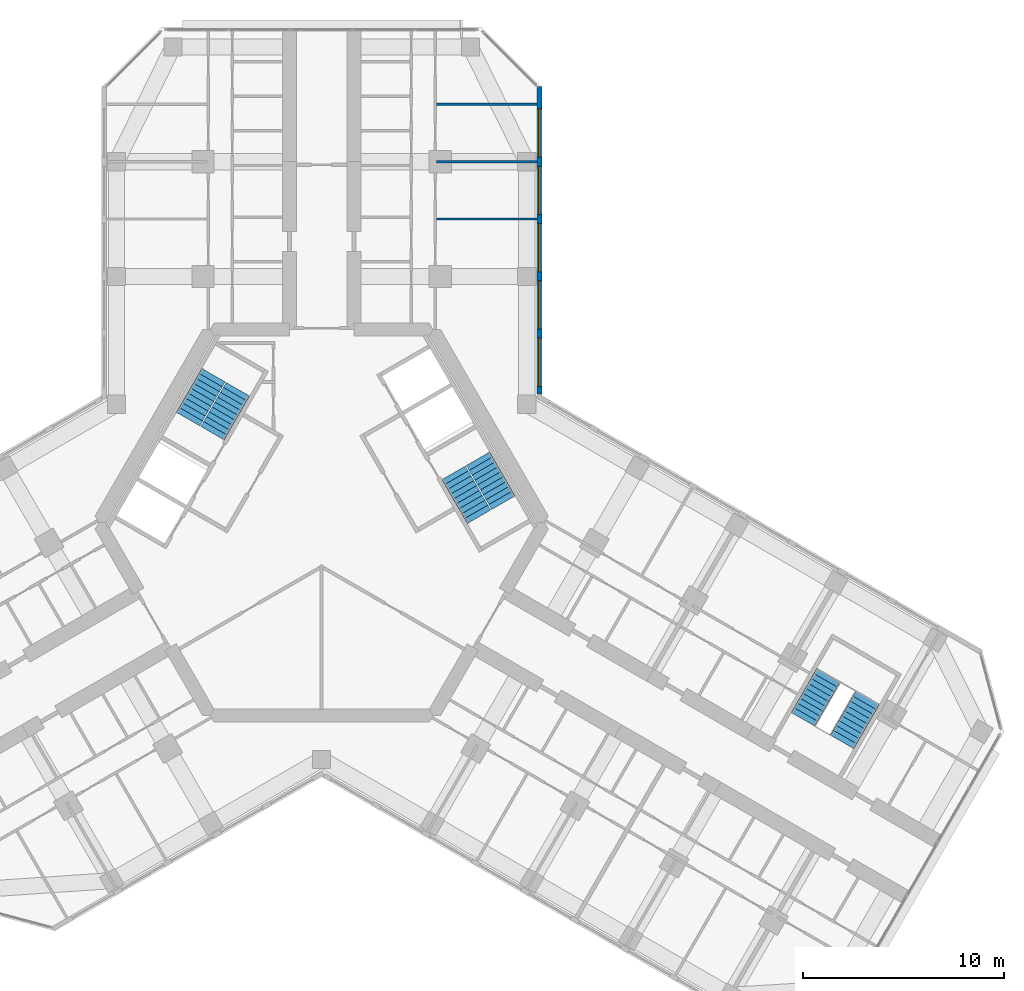
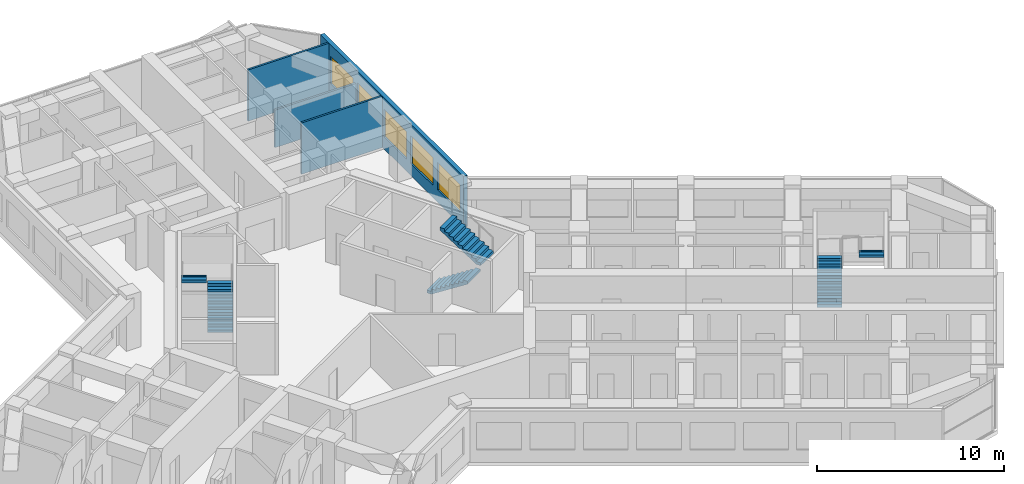
# One storey, part 15 of 16: 6 stair flights, 5 windows, 4 walls, 5 openings, 3 elements without a shape of their own.
"""IFC4 building model written with IfcOpenShell, lengths in metres."""

import ifcopenshell
import ifcopenshell.guid

model = None  # the IFC model being written
_history = None  # IfcOwnerHistory: only IFC2X3 demands one
_inside = {}  # id of a spatial element -> (the spatial element, [elements in it])
_under = {}  # id of a project, library or spatial element -> (it, [spatial elements below it])
_declared = {}  # id of a project -> (the project, [libraries it declares])
_typed = {}  # id of a type object -> (the type object, [elements of that type])
_made_of = {}  # id of a material, layer set ... -> (it, [elements and type objects made of it])


def new_model(schema):
    """Start an empty IFC model of exactly this schema.

    Asked for "IFC4X3", IfcOpenShell would pick the latest addendum, in which some entities
    have other attributes; the version numbers below select the first issue.
    IFC2X3 requires an IfcOwnerHistory on every rooted entity: one is made here for all.
    """
    global model, _history
    if schema == "IFC4X3":
        model = ifcopenshell.file(schema_version=(4, 3, 0, 0))
    else:
        model = ifcopenshell.file(schema=schema)
    _inside.clear()
    _under.clear()
    _declared.clear()
    _typed.clear()
    _made_of.clear()
    _history = None
    if model.schema == "IFC2X3":
        org = make("IfcOrganization", Name="unknown")
        user = make(
            "IfcPersonAndOrganization",
            ThePerson=make("IfcPerson", FamilyName="unknown"),
            TheOrganization=org,
        )
        app = make(
            "IfcApplication",
            ApplicationDeveloper=org,
            Version="unknown",
            ApplicationFullName="unknown",
            ApplicationIdentifier="unknown",
        )
        _history = make(
            "IfcOwnerHistory",
            OwningUser=user,
            OwningApplication=app,
            ChangeAction="ADDED",
            CreationDate=0,
        )
    return model


def make(cls, **values):
    """One entity of the class cls with the attributes given. An attribute that is None is left unset."""
    return model.create_entity(
        cls, **{name: value for name, value in values.items() if value is not None}
    )


def rooted(cls, **values):
    """An entity with a GlobalId (a new one), such as an element, a storey or a relation."""
    return make(cls, GlobalId=ifcopenshell.guid.new(), OwnerHistory=_history, **values)


def si_unit(unit_type, name, prefix=None):
    """IfcSIUnit, for example si_unit("LENGTHUNIT", "METRE", prefix="MILLI")."""
    return make("IfcSIUnit", UnitType=unit_type, Prefix=prefix, Name=name)


def assignment(units):
    """IfcUnitAssignment: the units of a project."""
    return None if units is None else make("IfcUnitAssignment", Units=units)


def point(xyz):
    """IfcCartesianPoint."""
    return None if xyz is None else make("IfcCartesianPoint", Coordinates=xyz)


def direction(xyz):
    """IfcDirection."""
    return None if xyz is None else make("IfcDirection", DirectionRatios=xyz)


def frame(location, z_axis=None, x_axis=None):
    """IfcAxis2Placement3D, a coordinate frame: its origin and axes. An axis left out is left unset."""
    return make(
        "IfcAxis2Placement3D",
        Location=point(location),
        Axis=direction(z_axis),
        RefDirection=direction(x_axis),
    )


def frame_2d(location, x_axis=None):
    """IfcAxis2Placement2D, a coordinate frame in the plane: its origin and x axis."""
    return make(
        "IfcAxis2Placement2D", Location=point(location), RefDirection=direction(x_axis)
    )


def origin():
    """The frame at (0, 0, 0) with its axes left unset."""
    return frame((0.0, 0.0, 0.0))


def place(relative_to, where):
    """IfcLocalPlacement: puts the frame where relative to a parent placement (None: the world)."""
    return make(
        "IfcLocalPlacement", PlacementRelTo=relative_to, RelativePlacement=where
    )


def context(
    kind, dimensions, precision=None, world=None, true_north=None, identifier=None
):
    """IfcGeometricRepresentationContext, for example the 3D "Model" context."""
    return make(
        "IfcGeometricRepresentationContext",
        ContextIdentifier=identifier,
        ContextType=kind,
        CoordinateSpaceDimension=dimensions,
        Precision=precision,
        WorldCoordinateSystem=world,
        TrueNorth=true_north,
    )


def subcontext(parent, identifier, kind, view, scale=None):
    """IfcGeometricRepresentationSubContext, for example "Body" below "Model"."""
    return make(
        "IfcGeometricRepresentationSubContext",
        ContextIdentifier=identifier,
        ContextType=kind,
        ParentContext=parent,
        TargetScale=scale,
        TargetView=view,
    )


def project(units=None, contexts=None):
    """IfcProject with its units and contexts."""
    return rooted(
        "IfcProject",
        Name="project",
        RepresentationContexts=contexts,
        UnitsInContext=assignment(units),
    )


def spatial(cls, under=None, at=None, **own):
    """A site, building, storey or space (cls), placed at a placement, below another one or the project."""
    s = rooted(cls, ObjectPlacement=at, **own)
    if under is not None:
        _under.setdefault(under.id(), (under, []))[1].append(s)
    return s


def polyline(points):
    """IfcPolyline through the points."""
    return make("IfcPolyline", Points=[point(p) for p in points])


def profile(cls, at=None, kind="AREA", **sizes):
    """A parametric profile (cls). Its sizes go by their IFC names, for example OverallWidth=200.0."""
    return make(cls, ProfileType=kind, Position=at, **sizes)


def rectangle(**sizes):
    """IfcRectangleProfileDef."""
    return profile("IfcRectangleProfileDef", **sizes)


def outline(outer, holes=None, kind="AREA"):
    """IfcArbitraryClosedProfileDef: a profile drawn as a closed curve; with holes, ...WithVoids."""
    if holes is None:
        return make("IfcArbitraryClosedProfileDef", ProfileType=kind, OuterCurve=outer)
    return make(
        "IfcArbitraryProfileDefWithVoids",
        ProfileType=kind,
        OuterCurve=outer,
        InnerCurves=holes,
    )


def extrude(swept, where, along, depth):
    """IfcExtrudedAreaSolid: the profile swept, set in the frame where, extruded along a direction by depth."""
    return make(
        "IfcExtrudedAreaSolid",
        SweptArea=swept,
        Position=where,
        ExtrudedDirection=direction(along),
        Depth=depth,
    )


def shape(context_of_items, identifier, shape_type, items):
    """IfcShapeRepresentation: the items that make up one representation, for example the "Body"."""
    return make(
        "IfcShapeRepresentation",
        ContextOfItems=context_of_items,
        RepresentationIdentifier=identifier,
        RepresentationType=shape_type,
        Items=items,
    )


def material(Name=None, Category=None):
    """IfcMaterial."""
    return make("IfcMaterial", Name=Name, Category=Category)


def layer(
    of_material, thickness, ventilated=None, Name=None, Category=None, Priority=None
):
    """IfcMaterialLayer: one layer of a wall or slab, of a material (None: an air gap)."""
    return make(
        "IfcMaterialLayer",
        Material=of_material,
        LayerThickness=thickness,
        IsVentilated=ventilated,
        Name=Name,
        Category=Category,
        Priority=Priority,
    )


def layer_set(layers, Name=None):
    """IfcMaterialLayerSet."""
    return make("IfcMaterialLayerSet", MaterialLayers=layers, LayerSetName=Name)


def made_of(thing, what):
    """Note that an element or type object is made of a material, layer set ...; save() writes the relation."""
    if what is not None:
        _made_of.setdefault(what.id(), (what, []))[1].append(thing)
    return thing


def type_object(cls, material=None, **own):
    """A type object (cls), such as IfcWallType, which elements share."""
    return made_of(rooted(cls, **own), material)


def element(
    cls,
    number,
    at=None,
    inside=None,
    cuts=None,
    type_object=None,
    material=None,
    context=None,
    identifier="Body",
    shape_type=None,
    held_by="IfcProductDefinitionShape",
    body=None,
    shapes=None,
    **own,
):
    """One element of the class cls, such as IfcWall. Its Tag is "e" and its number.

    at: its placement. inside: the storey or other place that contains it. cuts: it is an
    opening in that element (IfcRelVoidsElement). A single representation is given by context,
    identifier, shape_type and body (its items); several are given by shapes. held_by: the class
    of the entity that holds the representations. save() writes the other relations.
    """
    e = rooted(cls, Tag="e%d" % number, ObjectPlacement=at, **own)
    if body is not None:
        shapes = [shape(context, identifier, shape_type, body)]
    if shapes is not None:
        e.Representation = make(held_by, Representations=shapes)
    if inside is not None:
        _inside.setdefault(inside.id(), (inside, []))[1].append(e)
    if cuts is not None:
        rooted(
            "IfcRelVoidsElement", RelatingBuildingElement=cuts, RelatedOpeningElement=e
        )
    if type_object is not None:
        _typed.setdefault(type_object.id(), (type_object, []))[1].append(e)
    return made_of(e, material)


def fill(opening, filler):
    """IfcRelFillsElement: the door or window that sits in an opening."""
    return rooted(
        "IfcRelFillsElement",
        RelatingOpeningElement=opening,
        RelatedBuildingElement=filler,
    )


def aggregate(whole, parts):
    """IfcRelAggregates: a whole, such as a stair, and the parts it consists of."""
    return rooted("IfcRelAggregates", RelatingObject=whole, RelatedObjects=parts)


def save(model, path):
    """Write the relations noted so far, then the file.

    IfcRelAggregates (storeys below a building ...), IfcRelContainedInSpatialStructure (elements
    in a storey), IfcRelDefinesByType, IfcRelAssociatesMaterial and IfcRelDeclares: one each for
    every whole, place, type object, material and project.
    """
    for whole, parts in _under.values():
        aggregate(whole, parts)
    for where, things in _inside.values():
        rooted(
            "IfcRelContainedInSpatialStructure",
            RelatedElements=things,
            RelatingStructure=where,
        )
    for kind, things in _typed.values():
        rooted("IfcRelDefinesByType", RelatedObjects=things, RelatingType=kind)
    for what, things in _made_of.values():
        rooted("IfcRelAssociatesMaterial", RelatedObjects=things, RelatingMaterial=what)
    for by, libraries in _declared.values():
        rooted("IfcRelDeclares", RelatingContext=by, RelatedDefinitions=libraries)
    model.write(path)


model = new_model("IFC4")

# Units and contexts
model_context = context("Model", 3, precision=1e-05, world=origin(), true_north=direction((0.0, 1.0)))
body_context = subcontext(model_context, "Body", "Model", "MODEL_VIEW")
ifc_project = project(units=[si_unit("LENGTHUNIT", "METRE"), si_unit("AREAUNIT", "SQUARE_METRE"), si_unit("VOLUMEUNIT", "CUBIC_METRE"), si_unit("PLANEANGLEUNIT", "RADIAN"), si_unit("MASSUNIT", "GRAM", prefix="KILO")], contexts=[model_context])

# Site, building, storey
site_placement = place(None, origin())
site = spatial("IfcSite", under=ifc_project, at=site_placement, CompositionType="ELEMENT")
building_placement = place(site_placement, origin())
building = spatial("IfcBuilding", under=site, at=building_placement, Name="Kosmar Iwan School Tower", CompositionType="ELEMENT")
storey_placement = place(building_placement, frame((0.0, 0.0, 211.800048828125)))
storey = spatial("IfcBuildingStorey", under=building, at=storey_placement, Name="L53", CompositionType="ELEMENT", Elevation=211.800048828125)

# Walls
ifc_material_1 = material(Name="Gypsum board on steel studs", Category="steel")
ifc_layer_1 = layer(ifc_material_1, 0.1201171875)
ifc_layer_set_1 = layer_set([ifc_layer_1], Name="Dwelling partition 120")
wall_type_1 = type_object("IfcWallType", Name="Dwelling partition 120", PredefinedType="PARTITIONING", material=ifc_layer_set_1)
wall_1_placement = place(storey_placement, frame((5.7099609375, 15.10009765625, 0.0), z_axis=(0.0, 0.0, 1.0), x_axis=(1.0, 0.0, 0.0)))
element("IfcWall", 1, at=wall_1_placement, inside=storey, type_object=wall_type_1, Name="Partition L53-AR1-X1", PredefinedType="PARTITIONING", context=body_context, shape_type="SweptSolid", body=[
    extrude(rectangle(XDim=4.989990234375, YDim=0.1201171875, at=frame_2d((2.4951171875, 0.0))), origin(), (0.0, 0.0, 1.0), 3.349853515625),
])
wall_2_placement = place(storey_placement, frame((5.7099609375, 17.949951171875, 0.0), z_axis=(0.0, 0.0, 1.0), x_axis=(1.0, 0.0, 0.0)))
element("IfcWall", 2, at=wall_2_placement, inside=storey, type_object=wall_type_1, Name="Partition L53-AR1-X2", PredefinedType="PARTITIONING", context=body_context, shape_type="SweptSolid", body=[
    extrude(rectangle(XDim=4.989990234375, YDim=0.1201171875, at=frame_2d((2.4951171875, 0.0))), origin(), (0.0, 0.0, 1.0), 2.449951171875),
])
wall_3_placement = place(storey_placement, frame((5.7099609375, 20.800048828125, 0.0), z_axis=(0.0, 0.0, 1.0), x_axis=(1.0, 0.0, 0.0)))
element("IfcWall", 3, at=wall_3_placement, inside=storey, type_object=wall_type_1, Name="Partition L53-AR1-X3", PredefinedType="PARTITIONING", context=body_context, shape_type="SweptSolid", body=[
    extrude(rectangle(XDim=4.989990234375, YDim=0.1201171875, at=frame_2d((2.4951171875, 0.0))), origin(), (0.0, 0.0, 1.0), 3.349853515625),
])

# Wall, openings, windows
ifc_material_2 = material(Name="Black aluminium rainscreen on insulated framing", Category="aluminium")
ifc_layer_2 = layer(ifc_material_2, 0.25)
ifc_layer_set_2 = layer_set([ifc_layer_2], Name="External wall rainscreen 250")
wall_type_2 = type_object("IfcWallType", Name="External wall rainscreen 250", PredefinedType="SOLIDWALL", material=ifc_layer_set_2)
wall_4_placement = place(storey_placement, frame((10.824951171875, 6.408935546875, 0.0), z_axis=(0.0, 0.0, 1.0), x_axis=(0.0, 1.0, 0.0)))
wall_4 = element("IfcWall", 4, at=wall_4_placement, inside=storey, type_object=wall_type_2, Name="External wall AR L53", PredefinedType="SOLIDWALL", context=body_context, shape_type="SweptSolid", body=[
    extrude(rectangle(XDim=15.2763671875, YDim=0.25, at=frame_2d((7.63818359375, 0.0))), origin(), (0.0, 0.0, 1.0), 3.349853515625),
])
opening_1_placement = place(wall_4_placement, frame((0.365966796875, 0.0, 0.800048828125)))
opening_1 = element("IfcOpeningElement", 5, at=opening_1_placement, cuts=wall_4, Name="Opening W5", PredefinedType="OPENING", context=body_context, shape_type="SweptSolid", body=[
    extrude(rectangle(XDim=2.39990234375, YDim=1.800048828125, at=frame_2d((1.199951171875, 0.89990234375))), frame((0.0, 0.136962890625, 0.0), z_axis=(0.0, -1.0, 0.0), x_axis=(1.0, 0.0, 0.0)), (0.0, 0.0, 1.0), 0.27392578125),
])
opening_2_placement = place(wall_4_placement, frame((3.216064453125, 0.0, 0.800048828125)))
opening_2 = element("IfcOpeningElement", 6, at=opening_2_placement, cuts=wall_4, Name="Opening W5", PredefinedType="OPENING", context=body_context, shape_type="SweptSolid", body=[
    extrude(rectangle(XDim=2.39990234375, YDim=1.800048828125, at=frame_2d((1.199951171875, 0.89990234375))), frame((0.0, 0.136962890625, 0.0), z_axis=(0.0, -1.0, 0.0), x_axis=(1.0, 0.0, 0.0)), (0.0, 0.0, 1.0), 0.27392578125),
])
opening_3_placement = place(wall_4_placement, frame((6.06591796875, 0.0, 0.800048828125)))
opening_3 = element("IfcOpeningElement", 7, at=opening_3_placement, cuts=wall_4, Name="Opening W5", PredefinedType="OPENING", context=body_context, shape_type="SweptSolid", body=[
    extrude(rectangle(XDim=2.39990234375, YDim=1.800048828125, at=frame_2d((1.199951171875, 0.89990234375))), frame((0.0, 0.136962890625, 0.0), z_axis=(0.0, -1.0, 0.0), x_axis=(1.0, 0.0, 0.0)), (0.0, 0.0, 1.0), 0.27392578125),
])
opening_4_placement = place(wall_4_placement, frame((8.916015625, 0.0, 0.800048828125)))
opening_4 = element("IfcOpeningElement", 8, at=opening_4_placement, cuts=wall_4, Name="Opening W5", PredefinedType="OPENING", context=body_context, shape_type="SweptSolid", body=[
    extrude(rectangle(XDim=2.39990234375, YDim=1.800048828125, at=frame_2d((1.199951171875, 0.89990234375))), frame((0.0, 0.136962890625, 0.0), z_axis=(0.0, -1.0, 0.0), x_axis=(1.0, 0.0, 0.0)), (0.0, 0.0, 1.0), 0.27392578125),
])
opening_5_placement = place(wall_4_placement, frame((11.76611328125, 0.0, 0.800048828125)))
opening_5 = element("IfcOpeningElement", 9, at=opening_5_placement, cuts=wall_4, Name="Opening W5", PredefinedType="OPENING", context=body_context, shape_type="SweptSolid", body=[
    extrude(rectangle(XDim=2.39990234375, YDim=1.800048828125, at=frame_2d((1.199951171875, 0.89990234375))), frame((0.0, 0.136962890625, 0.0), z_axis=(0.0, -1.0, 0.0), x_axis=(1.0, 0.0, 0.0)), (0.0, 0.0, 1.0), 0.27392578125),
])
ifc_material_3 = material(Name="Black aluminium frame with dark triple glazing", Category="aluminium")
window_type = type_object("IfcWindowType", Name="Window 2400x1800", PartitioningType="SINGLE_PANEL", PredefinedType="WINDOW", material=ifc_material_3)
window_1_placement = place(opening_1_placement, origin())
window_1 = element("IfcWindow", 10, at=window_1_placement, inside=storey, type_object=window_type, Name="Window AR L53 -1", OverallHeight=1.800048828125, OverallWidth=2.39990234375, PartitioningType="SINGLE_PANEL", PredefinedType="WINDOW", context=body_context, shape_type="SweptSolid", body=[
    extrude(rectangle(XDim=2.39990234375, YDim=1.800048828125, at=frame_2d((1.199951171875, 0.89990234375))), frame((0.0, 0.030029296875, 0.0), z_axis=(0.0, -1.0, 0.0), x_axis=(1.0, 0.0, 0.0)), (0.0, 0.0, 1.0), 0.06005859375),
])
fill(opening_1, window_1)
window_2_placement = place(opening_2_placement, origin())
window_2 = element("IfcWindow", 11, at=window_2_placement, inside=storey, type_object=window_type, Name="Window AR L53 0", OverallHeight=1.800048828125, OverallWidth=2.39990234375, PartitioningType="SINGLE_PANEL", PredefinedType="WINDOW", context=body_context, shape_type="SweptSolid", body=[
    extrude(rectangle(XDim=2.39990234375, YDim=1.800048828125, at=frame_2d((1.199951171875, 0.89990234375))), frame((0.0, 0.030029296875, 0.0), z_axis=(0.0, -1.0, 0.0), x_axis=(1.0, 0.0, 0.0)), (0.0, 0.0, 1.0), 0.06005859375),
])
fill(opening_2, window_2)
window_3_placement = place(opening_3_placement, origin())
window_3 = element("IfcWindow", 12, at=window_3_placement, inside=storey, type_object=window_type, Name="Window AR L53 1", OverallHeight=1.800048828125, OverallWidth=2.39990234375, PartitioningType="SINGLE_PANEL", PredefinedType="WINDOW", context=body_context, shape_type="SweptSolid", body=[
    extrude(rectangle(XDim=2.39990234375, YDim=1.800048828125, at=frame_2d((1.199951171875, 0.89990234375))), frame((0.0, 0.030029296875, 0.0), z_axis=(0.0, -1.0, 0.0), x_axis=(1.0, 0.0, 0.0)), (0.0, 0.0, 1.0), 0.06005859375),
])
fill(opening_3, window_3)
window_4_placement = place(opening_4_placement, origin())
window_4 = element("IfcWindow", 13, at=window_4_placement, inside=storey, type_object=window_type, Name="Window AR L53 2", OverallHeight=1.800048828125, OverallWidth=2.39990234375, PartitioningType="SINGLE_PANEL", PredefinedType="WINDOW", context=body_context, shape_type="SweptSolid", body=[
    extrude(rectangle(XDim=2.39990234375, YDim=1.800048828125, at=frame_2d((1.199951171875, 0.89990234375))), frame((0.0, 0.030029296875, 0.0), z_axis=(0.0, -1.0, 0.0), x_axis=(1.0, 0.0, 0.0)), (0.0, 0.0, 1.0), 0.06005859375),
])
fill(opening_4, window_4)
window_5_placement = place(opening_5_placement, origin())
window_5 = element("IfcWindow", 14, at=window_5_placement, inside=storey, type_object=window_type, Name="Window AR L53 3", OverallHeight=1.800048828125, OverallWidth=2.39990234375, PartitioningType="SINGLE_PANEL", PredefinedType="WINDOW", context=body_context, shape_type="SweptSolid", body=[
    extrude(rectangle(XDim=2.39990234375, YDim=1.800048828125, at=frame_2d((1.199951171875, 0.89990234375))), frame((0.0, 0.030029296875, 0.0), z_axis=(0.0, -1.0, 0.0), x_axis=(1.0, 0.0, 0.0)), (0.0, 0.0, 1.0), 0.06005859375),
])
fill(opening_5, window_5)

# Stair, stair flights
ifc_material_4 = material(Name="Concrete C35/45", Category="concrete")
stair_type_1 = type_object("IfcStairType", Name="Escape stair 3600", PredefinedType="HALF_TURN_STAIR", material=ifc_material_4)
stair_1_placement = place(storey_placement, origin())
stair_1 = element("IfcStair", 15, at=stair_1_placement, inside=storey, type_object=stair_type_1, Name="Stair WS3 L53", PredefinedType="HALF_TURN_STAIR")
ifc_material_5 = material(Name="Concrete C35/45", Category="concrete")
stair_flight_type_1 = type_object("IfcStairFlightType", Name="Escape stair flight 1350", PredefinedType="STRAIGHT", material=ifc_material_5)
stair_flight_1_placement = place(storey_placement, frame((23.94189453125, -9.781494140625, 0.0), z_axis=(0.0, 0.0, 1.0), x_axis=(0.5, 0.866025403784, 0.0)))
stair_flight_1 = element("IfcStairFlight", 16, at=stair_flight_1_placement, type_object=stair_flight_type_1, Name="WS3 flight 1", NumberOfRisers=10, NumberOfTreads=9, PredefinedType="STRAIGHT", RiserHeight=0.18, TreadLength=0.28, context=body_context, shape_type="SweptSolid", body=[
    extrude(outline(polyline([(0.0, 0.0), (0.0, 0.179931640625), (0.280029296875, 0.179931640625), (0.280029296875, 0.360107421875), (0.56005859375, 0.360107421875), (0.56005859375, 0.5400390625), (0.840087890625, 0.5400390625), (0.840087890625, 0.719970703125), (1.1201171875, 0.719970703125), (1.1201171875, 0.89990234375), (1.39990234375, 0.89990234375), (1.39990234375, 1.080078125), (1.679931640625, 1.080078125), (1.679931640625, 1.260009765625), (1.9599609375, 1.260009765625), (1.9599609375, 1.43994140625), (2.239990234375, 1.43994140625), (2.239990234375, 1.6201171875), (2.52001953125, 1.6201171875), (2.52001953125, 1.800048828125), (2.52001953125, 1.44189453125), (0.277099609375, 0.0), (0.0, 0.0)])), frame((0.0, 0.675048828125, 0.0), z_axis=(0.0, -1.0, 0.0), x_axis=(1.0, 0.0, 0.0)), (0.0, 0.0, 1.0), 1.35009765625),
])
stair_flight_2_placement = place(storey_placement, frame((27.150390625, -8.72412109375, 1.800048828125), z_axis=(0.0, 0.0, 1.0), x_axis=(-0.5, -0.866025403784, 0.0)))
stair_flight_2 = element("IfcStairFlight", 17, at=stair_flight_2_placement, type_object=stair_flight_type_1, Name="WS3 flight 2", NumberOfRisers=10, NumberOfTreads=9, PredefinedType="STRAIGHT", RiserHeight=0.18, TreadLength=0.28, context=body_context, shape_type="SweptSolid", body=[
    extrude(outline(polyline([(0.0, 0.0), (0.0, 0.179931640625), (0.280029296875, 0.179931640625), (0.280029296875, 0.360107421875), (0.56005859375, 0.360107421875), (0.56005859375, 0.5400390625), (0.840087890625, 0.5400390625), (0.840087890625, 0.719970703125), (1.1201171875, 0.719970703125), (1.1201171875, 0.89990234375), (1.39990234375, 0.89990234375), (1.39990234375, 1.080078125), (1.679931640625, 1.080078125), (1.679931640625, 1.260009765625), (1.9599609375, 1.260009765625), (1.9599609375, 1.43994140625), (2.239990234375, 1.43994140625), (2.239990234375, 1.6201171875), (2.52001953125, 1.6201171875), (2.52001953125, 1.800048828125), (2.52001953125, 1.44189453125), (0.277099609375, 0.0), (0.0, 0.0)])), frame((0.0, 0.675048828125, 0.0), z_axis=(0.0, -1.0, 0.0), x_axis=(1.0, 0.0, 0.0)), (0.0, 0.0, 1.0), 1.35009765625),
])
aggregate(stair_1, [stair_flight_1, stair_flight_2])

ifc_material_6 = material(Name="Concrete C35/45", Category="concrete")
stair_type_2 = type_object("IfcStairType", Name="Core stair 2750", PredefinedType="HALF_TURN_STAIR", material=ifc_material_6)
stair_2_placement = place(storey_placement, origin())
stair_2 = element("IfcStair", 18, at=stair_2_placement, inside=storey, type_object=stair_type_2, Name="Stair ST2 L53", PredefinedType="HALF_TURN_STAIR")
ifc_material_7 = material(Name="Concrete C35/45", Category="concrete")
stair_flight_type_2 = type_object("IfcStairFlightType", Name="Stair flight 1350", PredefinedType="STRAIGHT", material=ifc_material_7)
stair_flight_3_placement = place(storey_placement, frame((-5.42724609375, 4.44970703125, 0.0), z_axis=(0.0, 0.0, 1.0), x_axis=(0.5, 0.866025403784, 0.0)))
stair_flight_3 = element("IfcStairFlight", 19, at=stair_flight_3_placement, type_object=stair_flight_type_2, Name="ST2 flight 1", NumberOfRisers=10, NumberOfTreads=9, PredefinedType="STRAIGHT", RiserHeight=0.18, TreadLength=0.28, context=body_context, shape_type="SweptSolid", body=[
    extrude(outline(polyline([(0.0, 0.0), (0.0, 0.179931640625), (0.280029296875, 0.179931640625), (0.280029296875, 0.360107421875), (0.56005859375, 0.360107421875), (0.56005859375, 0.5400390625), (0.840087890625, 0.5400390625), (0.840087890625, 0.719970703125), (1.1201171875, 0.719970703125), (1.1201171875, 0.89990234375), (1.39990234375, 0.89990234375), (1.39990234375, 1.080078125), (1.679931640625, 1.080078125), (1.679931640625, 1.260009765625), (1.9599609375, 1.260009765625), (1.9599609375, 1.43994140625), (2.239990234375, 1.43994140625), (2.239990234375, 1.6201171875), (2.52001953125, 1.6201171875), (2.52001953125, 1.800048828125), (2.52001953125, 1.44189453125), (0.277099609375, 0.0), (0.0, 0.0)])), frame((0.0, 0.675048828125, 0.0), z_axis=(0.0, -1.0, 0.0), x_axis=(1.0, 0.0, 0.0)), (0.0, 0.0, 1.0), 1.35009765625),
])
stair_flight_4_placement = place(storey_placement, frame((-5.379638671875, 7.33203125, 1.800048828125), z_axis=(0.0, 0.0, 1.0), x_axis=(-0.5, -0.866025403784, 0.0)))
stair_flight_4 = element("IfcStairFlight", 20, at=stair_flight_4_placement, type_object=stair_flight_type_2, Name="ST2 flight 2", NumberOfRisers=10, NumberOfTreads=9, PredefinedType="STRAIGHT", RiserHeight=0.18, TreadLength=0.28, context=body_context, shape_type="SweptSolid", body=[
    extrude(outline(polyline([(0.0, 0.0), (0.0, 0.179931640625), (0.280029296875, 0.179931640625), (0.280029296875, 0.360107421875), (0.56005859375, 0.360107421875), (0.56005859375, 0.5400390625), (0.840087890625, 0.5400390625), (0.840087890625, 0.719970703125), (1.1201171875, 0.719970703125), (1.1201171875, 0.89990234375), (1.39990234375, 0.89990234375), (1.39990234375, 1.080078125), (1.679931640625, 1.080078125), (1.679931640625, 1.260009765625), (1.9599609375, 1.260009765625), (1.9599609375, 1.43994140625), (2.239990234375, 1.43994140625), (2.239990234375, 1.6201171875), (2.52001953125, 1.6201171875), (2.52001953125, 1.800048828125), (2.52001953125, 1.44189453125), (0.277099609375, 0.0), (0.0, 0.0)])), frame((0.0, 0.675048828125, 0.0), z_axis=(0.0, -1.0, 0.0), x_axis=(1.0, 0.0, 0.0)), (0.0, 0.0, 1.0), 1.35009765625),
])
aggregate(stair_2, [stair_flight_3, stair_flight_4])

stair_3_placement = place(storey_placement, origin())
stair_3 = element("IfcStair", 21, at=stair_3_placement, inside=storey, type_object=stair_type_2, Name="Stair ST1 L53", PredefinedType="HALF_TURN_STAIR")
stair_flight_5_placement = place(storey_placement, frame((6.567138671875, 2.475341796875, 0.0), z_axis=(0.0, 0.0, 1.0), x_axis=(0.5, -0.866025403784, 0.0)))
stair_flight_5 = element("IfcStairFlight", 22, at=stair_flight_5_placement, type_object=stair_flight_type_2, Name="ST1 flight 1", NumberOfRisers=10, NumberOfTreads=9, PredefinedType="STRAIGHT", RiserHeight=0.18, TreadLength=0.28, context=body_context, shape_type="SweptSolid", body=[
    extrude(outline(polyline([(0.0, 0.0), (0.0, 0.179931640625), (0.280029296875, 0.179931640625), (0.280029296875, 0.360107421875), (0.56005859375, 0.360107421875), (0.56005859375, 0.5400390625), (0.840087890625, 0.5400390625), (0.840087890625, 0.719970703125), (1.1201171875, 0.719970703125), (1.1201171875, 0.89990234375), (1.39990234375, 0.89990234375), (1.39990234375, 1.080078125), (1.679931640625, 1.080078125), (1.679931640625, 1.260009765625), (1.9599609375, 1.260009765625), (1.9599609375, 1.43994140625), (2.239990234375, 1.43994140625), (2.239990234375, 1.6201171875), (2.52001953125, 1.6201171875), (2.52001953125, 1.800048828125), (2.52001953125, 1.44189453125), (0.277099609375, 0.0), (0.0, 0.0)])), frame((0.0, 0.675048828125, 0.0), z_axis=(0.0, -1.0, 0.0), x_axis=(1.0, 0.0, 0.0)), (0.0, 0.0, 1.0), 1.35009765625),
])
stair_flight_6_placement = place(storey_placement, frame((9.03955078125, 0.992919921875, 1.800048828125), z_axis=(0.0, 0.0, 1.0), x_axis=(-0.5, 0.866025403784, 0.0)))
stair_flight_6 = element("IfcStairFlight", 23, at=stair_flight_6_placement, type_object=stair_flight_type_2, Name="ST1 flight 2", NumberOfRisers=10, NumberOfTreads=9, PredefinedType="STRAIGHT", RiserHeight=0.18, TreadLength=0.28, context=body_context, shape_type="SweptSolid", body=[
    extrude(outline(polyline([(0.0, 0.0), (0.0, 0.179931640625), (0.280029296875, 0.179931640625), (0.280029296875, 0.360107421875), (0.56005859375, 0.360107421875), (0.56005859375, 0.5400390625), (0.840087890625, 0.5400390625), (0.840087890625, 0.719970703125), (1.1201171875, 0.719970703125), (1.1201171875, 0.89990234375), (1.39990234375, 0.89990234375), (1.39990234375, 1.080078125), (1.679931640625, 1.080078125), (1.679931640625, 1.260009765625), (1.9599609375, 1.260009765625), (1.9599609375, 1.43994140625), (2.239990234375, 1.43994140625), (2.239990234375, 1.6201171875), (2.52001953125, 1.6201171875), (2.52001953125, 1.800048828125), (2.52001953125, 1.44189453125), (0.277099609375, 0.0), (0.0, 0.0)])), frame((0.0, 0.675048828125, 0.0), z_axis=(0.0, -1.0, 0.0), x_axis=(1.0, 0.0, 0.0)), (0.0, 0.0, 1.0), 1.35009765625),
])
aggregate(stair_3, [stair_flight_5, stair_flight_6])

save(model, "model.ifc")
